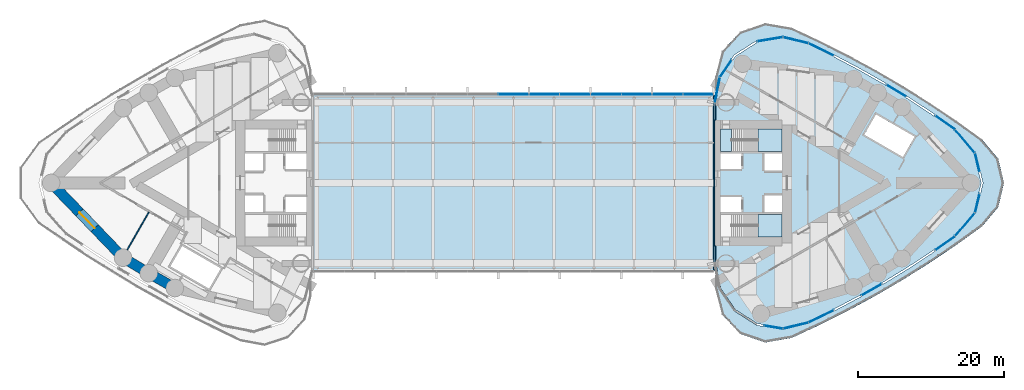
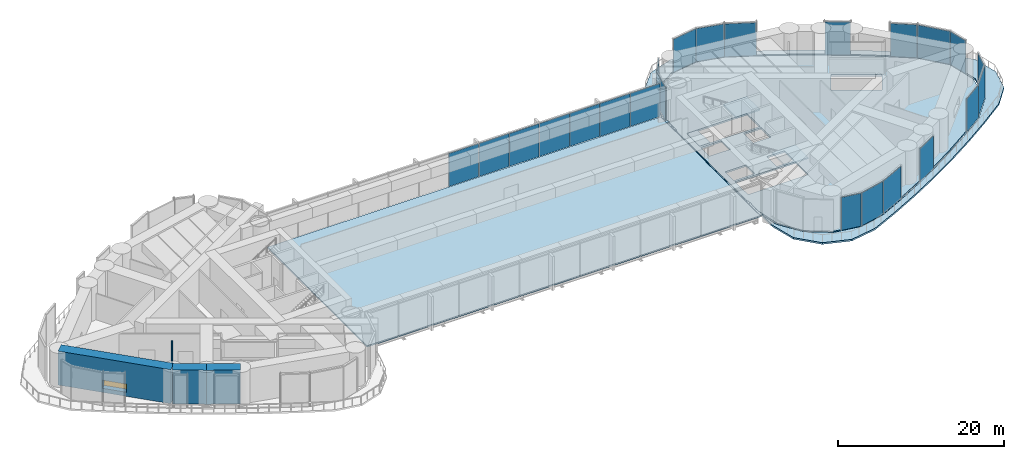
# One storey, part 14 of 22: 24 plates, 6 slabs, 4 walls, 1 window, 1 opening, 10 elements without a shape of their own.
"""IFC4 building model written with IfcOpenShell, lengths in metres."""

from ifc_helpers import new_model, si_unit, direction, frame, frame_2d, origin, origin_2d, place, context, subcontext, project, spatial, polyline, rectangle, outline, extrude, material, layer, layer_set, type_object, element, fill, aggregate, save


model = new_model("IFC4")

# Units and contexts
model_context = context("Model", 3, precision=1e-05, world=origin(), true_north=direction((0.0, 1.0)))
body_context = subcontext(model_context, "Body", "Model", "MODEL_VIEW")
ifc_project = project(units=[si_unit("LENGTHUNIT", "METRE"), si_unit("AREAUNIT", "SQUARE_METRE"), si_unit("VOLUMEUNIT", "CUBIC_METRE"), si_unit("PLANEANGLEUNIT", "RADIAN"), si_unit("MASSUNIT", "GRAM", prefix="KILO")], contexts=[model_context])

# Site, building, storey
site_placement = place(None, origin())
site = spatial("IfcSite", under=ifc_project, at=site_placement, CompositionType="ELEMENT")
building_placement = place(site_placement, origin())
building = spatial("IfcBuilding", under=site, at=building_placement, Name="Lancet Gate Hotel", CompositionType="ELEMENT")
storey_placement = place(building_placement, frame((0.0, 0.0, 210.300048828125)))
storey = spatial("IfcBuildingStorey", under=building, at=storey_placement, Name="L56", CompositionType="ELEMENT", Elevation=210.300048828125)

# Slabs
ifc_material_1 = material(Name="Concrete C40/50", Category="concrete")
ifc_layer_1 = layer(ifc_material_1, 0.199951171875)
ifc_layer_set_1 = layer_set([ifc_layer_1], Name="Composite floor slab 200")
slab_type_1 = type_object("IfcSlabType", Name="Composite floor slab 200", PredefinedType="FLOOR", material=ifc_layer_set_1)
slab_1_placement = place(storey_placement, frame((0.0, 0.0, -0.199951171875)))
element("IfcSlab", 1, at=slab_1_placement, inside=storey, type_object=slab_type_1, Name="Bridge block L56 floor slab", PredefinedType="FLOOR", context=body_context, shape_type="SweptSolid", body=[
    extrude(outline(polyline([(27.35009765625, -12.0), (27.35009765625, 12.0), (-27.35009765625, 12.0), (-27.35009765625, -12.0), (27.35009765625, -12.0)])), origin(), (0.0, 0.0, 1.0), 0.199951171875),
])
ifc_material_2 = material(Name="Concrete C50/60", Category="concrete")
ifc_layer_2 = layer(ifc_material_2, 0.25)
ifc_layer_set_2 = layer_set([ifc_layer_2], Name="Floor slab 250")
slab_type_2 = type_object("IfcSlabType", Name="Floor slab 250", PredefinedType="FLOOR", material=ifc_layer_set_2)
slab_2_placement = place(storey_placement, frame((0.0, 0.0, -0.25)))
element("IfcSlab", 2, at=slab_2_placement, inside=storey, type_object=slab_type_2, Name="T2 L56 floor slab", PredefinedType="FLOOR", context=body_context, shape_type="SweptSolid", body=[
    extrude(outline(polyline([(27.5, -8.60009765625), (27.6201171875, -8.60009765625), (27.6201171875, -10.93603515625), (28.329345703125, -14.419677734375), (30.33740234375, -17.338134765625), (33.326904296875, -19.2392578125), (36.82177734375, -19.81982421875), (40.2763671875, -18.98486328125), (43.753662109375, -17.2890625), (47.18603515625, -15.47998046875), (50.5595703125, -13.56396484375), (53.87158203125, -11.54296875), (57.118408203125, -9.4189453125), (60.2861328125, -7.20166015625), (62.99658203125, -4.03759765625), (63.968017578125, 0.0), (62.99658203125, 4.03759765625), (60.2861328125, 7.20166015625), (57.118408203125, 9.4189453125), (53.87158203125, 11.54296875), (50.5595703125, 13.56396484375), (47.18603515625, 15.47998046875), (43.753662109375, 17.2890625), (40.2763671875, 18.98486328125), (36.82177734375, 19.81982421875), (33.326904296875, 19.2392578125), (30.33740234375, 17.338134765625), (28.329345703125, 14.419677734375), (27.6201171875, 10.93603515625), (27.6201171875, 8.60009765625), (27.5, 8.60009765625), (27.5, 8.199951171875), (27.5, -8.199951171875), (27.5, -8.60009765625)]), holes=[polyline([(36.699951171875, -7.39990234375), (36.699951171875, -4.300048828125), (28.300048828125, -4.300048828125), (28.300048828125, -7.39990234375), (36.699951171875, -7.39990234375)]), polyline([(28.300048828125, -4.0), (31.199951171875, -4.0), (31.199951171875, -1.89990234375), (28.300048828125, -1.89990234375), (28.300048828125, -4.0)]), polyline([(34.25, -4.0), (36.699951171875, -4.0), (36.699951171875, -1.64990234375), (34.25, -1.64990234375), (34.25, -4.0)]), polyline([(36.699951171875, 1.64990234375), (36.699951171875, 4.0), (34.25, 4.0), (34.25, 1.64990234375), (36.699951171875, 1.64990234375)]), polyline([(28.300048828125, 1.89990234375), (31.199951171875, 1.89990234375), (31.199951171875, 4.0), (28.300048828125, 4.0), (28.300048828125, 1.89990234375)]), polyline([(28.300048828125, 4.300048828125), (36.699951171875, 4.300048828125), (36.699951171875, 7.39990234375), (28.300048828125, 7.39990234375), (28.300048828125, 4.300048828125)]), polyline([(53.242919921875, 3.555908203125), (54.843017578125, 6.326904296875), (49.56103515625, 9.376953125), (47.9609375, 6.60595703125), (53.242919921875, 3.555908203125)])]), origin(), (0.0, 0.0, 1.0), 0.25),
])

# Curtain wall, plates
ifc_material_3 = material(Name="Aluminium curtain wall", Category="aluminium")
curtain_wall_type = type_object("IfcCurtainWallType", Name="Refuge storey louvred curtain wall", PredefinedType="USERDEFINED", material=ifc_material_3)
curtain_wall_1_placement = place(storey_placement, origin())
curtain_wall_1 = element("IfcCurtainWall", 3, at=curtain_wall_1_placement, inside=storey, type_object=curtain_wall_type, Name="T2 L56 curtain wall 2", ObjectType="LANTERN GLAZING", PredefinedType="USERDEFINED")
ifc_material_4 = material(Name="Aluminium weather louvre 100 deep", Category="aluminium")
ifc_layer_3 = layer(ifc_material_4, 0.10009765625)
ifc_layer_set_3 = layer_set([ifc_layer_3], Name="Louvre panel")
plate_type_1 = type_object("IfcPlateType", Name="Louvre panel", PredefinedType="CURTAIN_PANEL", material=ifc_layer_set_3)
plate_1_placement = place(storey_placement, frame((35.5341796875, -19.7275390625, 0.0), z_axis=(0.0, 0.0, 1.0), x_axis=(0.986480101775, -0.163881081283, 0.0)))
plate_1 = element("IfcPlate", 4, at=plate_1_placement, type_object=plate_type_1, Name="T2 L56 curtain wall 2 panel 1", PredefinedType="CURTAIN_PANEL", context=body_context, shape_type="SweptSolid", body=[
    extrude(rectangle(XDim=2.5546875, YDim=0.10009765625, at=origin_2d()), origin(), (0.0, 0.0, 1.0), 4.85009765625),
])
plate_2_placement = place(storey_placement, frame((38.57177734375, -19.520263671875, 0.0), z_axis=(0.0, 0.0, 1.0), x_axis=(0.972013837597, 0.234923603582, 0.0)))
plate_2 = element("IfcPlate", 5, at=plate_2_placement, type_object=plate_type_1, Name="T2 L56 curtain wall 2 panel 2", PredefinedType="CURTAIN_PANEL", context=body_context, shape_type="SweptSolid", body=[
    extrude(rectangle(XDim=3.526611328125, YDim=0.10009765625, at=origin_2d()), origin(), (0.0, 0.0, 1.0), 4.85009765625),
])
plate_3_placement = place(storey_placement, frame((42.062744140625, -18.247314453125, 0.0), z_axis=(0.0, 0.0, 1.0), x_axis=(0.898823462202, 0.438310830114, 0.0)))
plate_3 = element("IfcPlate", 6, at=plate_3_placement, type_object=plate_type_1, Name="T2 L56 curtain wall 2 panel 3", PredefinedType="CURTAIN_PANEL", context=body_context, shape_type="SweptSolid", body=[
    extrude(rectangle(XDim=3.818603515625, YDim=0.10009765625, at=origin_2d()), origin(), (0.0, 0.0, 1.0), 4.85009765625),
])
aggregate(curtain_wall_1, [plate_1, plate_2, plate_3])

# Curtain wall, plate
curtain_wall_2_placement = place(storey_placement, origin())
curtain_wall_2 = element("IfcCurtainWall", 7, at=curtain_wall_2_placement, inside=storey, type_object=curtain_wall_type, Name="T2 L56 curtain wall 3", ObjectType="LANTERN GLAZING", PredefinedType="USERDEFINED")
plate_4_placement = place(storey_placement, frame((48.952392578125, -14.61474609375, 0.0), z_axis=(0.0, 0.0, 1.0), x_axis=(0.869550293306, 0.493844395951, 0.0)))
plate_4 = element("IfcPlate", 8, at=plate_4_placement, type_object=plate_type_1, Name="T2 L56 curtain wall 3 panel 1", PredefinedType="CURTAIN_PANEL", context=body_context, shape_type="SweptSolid", body=[
    extrude(rectangle(XDim=3.134765625, YDim=0.10009765625, at=origin_2d()), origin(), (0.0, 0.0, 1.0), 4.85009765625),
])
aggregate(curtain_wall_2, [plate_4])

# Curtain wall, plates
curtain_wall_3_placement = place(storey_placement, origin())
curtain_wall_3 = element("IfcCurtainWall", 9, at=curtain_wall_3_placement, inside=storey, type_object=curtain_wall_type, Name="T2 L56 curtain wall 4", ObjectType="LANTERN GLAZING", PredefinedType="USERDEFINED")
plate_5_placement = place(storey_placement, frame((59.00927734375, -8.241943359375, 0.0), z_axis=(0.0, 0.0, 1.0), x_axis=(0.819255034386, 0.573429323137, 0.0)))
plate_5 = element("IfcPlate", 10, at=plate_5_placement, type_object=plate_type_1, Name="T2 L56 curtain wall 4 panel 1", PredefinedType="CURTAIN_PANEL", context=body_context, shape_type="SweptSolid", body=[
    extrude(rectangle(XDim=3.25048828125, YDim=0.10009765625, at=origin_2d()), origin(), (0.0, 0.0, 1.0), 4.85009765625),
])
plate_6_placement = place(storey_placement, frame((61.737060546875, -5.692626953125, 0.0), z_axis=(0.0, 0.0, 1.0), x_axis=(0.650551562434, 0.759462088991, 0.0)))
plate_6 = element("IfcPlate", 11, at=plate_6_placement, type_object=plate_type_1, Name="T2 L56 curtain wall 4 panel 2", PredefinedType="CURTAIN_PANEL", context=body_context, shape_type="SweptSolid", body=[
    extrude(rectangle(XDim=4.1455078125, YDim=0.10009765625, at=origin_2d()), origin(), (0.0, 0.0, 1.0), 4.85009765625),
])
plate_7_placement = place(storey_placement, frame((63.4208984375, -2.787353515625, 0.0), z_axis=(0.0, 0.0, 1.0), x_axis=(0.233916001796, 0.972256809749, 0.0)))
plate_7 = element("IfcPlate", 12, at=plate_7_placement, type_object=plate_type_1, Name="T2 L56 curtain wall 4 panel 3", PredefinedType="CURTAIN_PANEL", context=body_context, shape_type="SweptSolid", body=[
    extrude(rectangle(XDim=2.622314453125, YDim=0.10009765625, at=origin_2d()), origin(), (0.0, 0.0, 1.0), 4.85009765625),
])
aggregate(curtain_wall_3, [plate_5, plate_6, plate_7])

curtain_wall_4_placement = place(storey_placement, origin())
curtain_wall_4 = element("IfcCurtainWall", 13, at=curtain_wall_4_placement, inside=storey, type_object=curtain_wall_type, Name="T2 L56 curtain wall 5", ObjectType="LANTERN GLAZING", PredefinedType="USERDEFINED")
plate_8_placement = place(storey_placement, frame((63.4208984375, 2.787353515625, 0.0), z_axis=(0.0, 0.0, 1.0), x_axis=(-0.233916001796, 0.972256809749, 0.0)))
plate_8 = element("IfcPlate", 14, at=plate_8_placement, type_object=plate_type_1, Name="T2 L56 curtain wall 5 panel 1", PredefinedType="CURTAIN_PANEL", context=body_context, shape_type="SweptSolid", body=[
    extrude(rectangle(XDim=2.622314453125, YDim=0.10009765625, at=origin_2d()), origin(), (0.0, 0.0, 1.0), 4.85009765625),
])
plate_9_placement = place(storey_placement, frame((61.737060546875, 5.692626953125, 0.0), z_axis=(0.0, 0.0, 1.0), x_axis=(-0.650551562434, 0.759462088991, 0.0)))
plate_9 = element("IfcPlate", 15, at=plate_9_placement, type_object=plate_type_1, Name="T2 L56 curtain wall 5 panel 2", PredefinedType="CURTAIN_PANEL", context=body_context, shape_type="SweptSolid", body=[
    extrude(rectangle(XDim=4.1455078125, YDim=0.10009765625, at=origin_2d()), origin(), (0.0, 0.0, 1.0), 4.85009765625),
])
plate_10_placement = place(storey_placement, frame((59.00927734375, 8.241943359375, 0.0), z_axis=(0.0, 0.0, 1.0), x_axis=(-0.819255034386, 0.573429323137, 0.0)))
plate_10 = element("IfcPlate", 16, at=plate_10_placement, type_object=plate_type_1, Name="T2 L56 curtain wall 5 panel 3", PredefinedType="CURTAIN_PANEL", context=body_context, shape_type="SweptSolid", body=[
    extrude(rectangle(XDim=3.25048828125, YDim=0.10009765625, at=origin_2d()), origin(), (0.0, 0.0, 1.0), 4.85009765625),
])
aggregate(curtain_wall_4, [plate_8, plate_9, plate_10])

# Curtain wall, plate
curtain_wall_5_placement = place(storey_placement, origin())
curtain_wall_5 = element("IfcCurtainWall", 17, at=curtain_wall_5_placement, inside=storey, type_object=curtain_wall_type, Name="T2 L56 curtain wall 6", ObjectType="LANTERN GLAZING", PredefinedType="USERDEFINED")
plate_11_placement = place(storey_placement, frame((52.344970703125, 12.614990234375, 0.0), z_axis=(0.0, 0.0, 1.0), x_axis=(-0.853620912967, 0.520894746513, 0.0)))
plate_11 = element("IfcPlate", 18, at=plate_11_placement, type_object=plate_type_1, Name="T2 L56 curtain wall 6 panel 1", PredefinedType="CURTAIN_PANEL", context=body_context, shape_type="SweptSolid", body=[
    extrude(rectangle(XDim=3.090576171875, YDim=0.10009765625, at=origin_2d()), origin(), (0.0, 0.0, 1.0), 4.85009765625),
])
aggregate(curtain_wall_5, [plate_11])

# Curtain wall, plates
curtain_wall_6_placement = place(storey_placement, origin())
curtain_wall_6 = element("IfcCurtainWall", 19, at=curtain_wall_6_placement, inside=storey, type_object=curtain_wall_type, Name="T2 L56 curtain wall 7", ObjectType="LANTERN GLAZING", PredefinedType="USERDEFINED")
plate_12_placement = place(storey_placement, frame((42.062744140625, 18.247314453125, 0.0), z_axis=(0.0, 0.0, 1.0), x_axis=(-0.898823462202, 0.438310830114, 0.0)))
plate_12 = element("IfcPlate", 20, at=plate_12_placement, type_object=plate_type_1, Name="T2 L56 curtain wall 7 panel 1", PredefinedType="CURTAIN_PANEL", context=body_context, shape_type="SweptSolid", body=[
    extrude(rectangle(XDim=3.818603515625, YDim=0.10009765625, at=origin_2d()), origin(), (0.0, 0.0, 1.0), 4.85009765625),
])
plate_13_placement = place(storey_placement, frame((38.57177734375, 19.520263671875, 0.0), z_axis=(0.0, 0.0, 1.0), x_axis=(-0.972013837597, 0.234923603582, 0.0)))
plate_13 = element("IfcPlate", 21, at=plate_13_placement, type_object=plate_type_1, Name="T2 L56 curtain wall 7 panel 2", PredefinedType="CURTAIN_PANEL", context=body_context, shape_type="SweptSolid", body=[
    extrude(rectangle(XDim=3.526611328125, YDim=0.10009765625, at=origin_2d()), origin(), (0.0, 0.0, 1.0), 4.85009765625),
])
plate_14_placement = place(storey_placement, frame((35.0546875, 19.64794921875, 0.0), z_axis=(0.0, 0.0, 1.0), x_axis=(-0.986480101775, -0.163881081283, 0.0)))
plate_14 = element("IfcPlate", 22, at=plate_14_placement, type_object=plate_type_1, Name="T2 L56 curtain wall 7 panel 3", PredefinedType="CURTAIN_PANEL", context=body_context, shape_type="SweptSolid", body=[
    extrude(rectangle(XDim=3.526611328125, YDim=0.10009765625, at=origin_2d()), origin(), (0.0, 0.0, 1.0), 4.85009765625),
])
aggregate(curtain_wall_6, [plate_12, plate_13, plate_14])

curtain_wall_7_placement = place(storey_placement, origin())
curtain_wall_7 = element("IfcCurtainWall", 23, at=curtain_wall_7_placement, inside=storey, type_object=curtain_wall_type, Name="T2 L56 curtain wall 8", ObjectType="LANTERN GLAZING", PredefinedType="USERDEFINED")
plate_15_placement = place(storey_placement, frame((29.02734375, 15.645751953125, 0.0), z_axis=(0.0, 0.0, 1.0), x_axis=(-0.566823864908, -0.823839005007, 0.0)))
plate_15 = element("IfcPlate", 24, at=plate_15_placement, type_object=plate_type_1, Name="T2 L56 curtain wall 8 panel 1", PredefinedType="CURTAIN_PANEL", context=body_context, shape_type="SweptSolid", body=[
    extrude(rectangle(XDim=2.795654296875, YDim=0.10009765625, at=origin_2d()), origin(), (0.0, 0.0, 1.0), 4.85009765625),
])
plate_16_placement = place(storey_placement, frame((27.8583984375, 12.707763671875, 0.0), z_axis=(0.0, 0.0, 1.0), x_axis=(-0.199533486841, -0.979891008036, 0.0)))
plate_16 = element("IfcPlate", 25, at=plate_16_placement, type_object=plate_type_1, Name="T2 L56 curtain wall 8 panel 2", PredefinedType="CURTAIN_PANEL", context=body_context, shape_type="SweptSolid", body=[
    extrude(rectangle(XDim=3.526611328125, YDim=0.10009765625, at=origin_2d()), origin(), (0.0, 0.0, 1.0), 4.85009765625),
])
aggregate(curtain_wall_7, [plate_15, plate_16])

curtain_wall_8_placement = place(storey_placement, origin())
curtain_wall_8 = element("IfcCurtainWall", 26, at=curtain_wall_8_placement, inside=storey, type_object=curtain_wall_type, Name="Bridge block L56 curtain wall N", ObjectType="LANTERN GLAZING", PredefinedType="USERDEFINED")
plate_17_placement = place(storey_placement, frame((25.24609375, 12.1201171875, 0.0), z_axis=(0.0, 0.0, 1.0), x_axis=(-1.0, 0.0, 0.0)))
plate_17 = element("IfcPlate", 27, at=plate_17_placement, type_object=plate_type_1, Name="Bridge block L56 curtain wall N panel 1", PredefinedType="CURTAIN_PANEL", context=body_context, shape_type="SweptSolid", body=[
    extrude(rectangle(XDim=4.142578125, YDim=0.10009765625, at=origin_2d()), origin(), (0.0, 0.0, 1.0), 4.85009765625),
])
plate_18_placement = place(storey_placement, frame((21.03857421875, 12.1201171875, 0.0), z_axis=(0.0, 0.0, 1.0), x_axis=(-1.0, 0.0, 0.0)))
plate_18 = element("IfcPlate", 28, at=plate_18_placement, type_object=plate_type_1, Name="Bridge block L56 curtain wall N panel 2", PredefinedType="CURTAIN_PANEL", context=body_context, shape_type="SweptSolid", body=[
    extrude(rectangle(XDim=4.142578125, YDim=0.10009765625, at=origin_2d()), origin(), (0.0, 0.0, 1.0), 4.85009765625),
])
plate_19_placement = place(storey_placement, frame((16.830810546875, 12.1201171875, 0.0), z_axis=(0.0, 0.0, 1.0), x_axis=(-1.0, 0.0, 0.0)))
plate_19 = element("IfcPlate", 29, at=plate_19_placement, type_object=plate_type_1, Name="Bridge block L56 curtain wall N panel 3", PredefinedType="CURTAIN_PANEL", context=body_context, shape_type="SweptSolid", body=[
    extrude(rectangle(XDim=4.142578125, YDim=0.10009765625, at=origin_2d()), origin(), (0.0, 0.0, 1.0), 4.85009765625),
])
plate_20_placement = place(storey_placement, frame((12.623046875, 12.1201171875, 0.0), z_axis=(0.0, 0.0, 1.0), x_axis=(-1.0, 0.0, 0.0)))
plate_20 = element("IfcPlate", 30, at=plate_20_placement, type_object=plate_type_1, Name="Bridge block L56 curtain wall N panel 4", PredefinedType="CURTAIN_PANEL", context=body_context, shape_type="SweptSolid", body=[
    extrude(rectangle(XDim=4.142578125, YDim=0.10009765625, at=origin_2d()), origin(), (0.0, 0.0, 1.0), 4.85009765625),
])
plate_21_placement = place(storey_placement, frame((8.415283203125, 12.1201171875, 0.0), z_axis=(0.0, 0.0, 1.0), x_axis=(-1.0, 0.0, 0.0)))
plate_21 = element("IfcPlate", 31, at=plate_21_placement, type_object=plate_type_1, Name="Bridge block L56 curtain wall N panel 5", PredefinedType="CURTAIN_PANEL", context=body_context, shape_type="SweptSolid", body=[
    extrude(rectangle(XDim=4.142578125, YDim=0.10009765625, at=origin_2d()), origin(), (0.0, 0.0, 1.0), 4.85009765625),
])
plate_22_placement = place(storey_placement, frame((4.207763671875, 12.1201171875, 0.0), z_axis=(0.0, 0.0, 1.0), x_axis=(-1.0, 0.0, 0.0)))
plate_22 = element("IfcPlate", 32, at=plate_22_placement, type_object=plate_type_1, Name="Bridge block L56 curtain wall N panel 6", PredefinedType="CURTAIN_PANEL", context=body_context, shape_type="SweptSolid", body=[
    extrude(rectangle(XDim=4.142578125, YDim=0.10009765625, at=origin_2d()), origin(), (0.0, 0.0, 1.0), 4.85009765625),
])
plate_23_placement = place(storey_placement, frame((0.0, 12.1201171875, 0.0), z_axis=(0.0, 0.0, 1.0), x_axis=(-1.0, 0.0, 0.0)))
plate_23 = element("IfcPlate", 33, at=plate_23_placement, type_object=plate_type_1, Name="Bridge block L56 curtain wall N panel 7", PredefinedType="CURTAIN_PANEL", context=body_context, shape_type="SweptSolid", body=[
    extrude(rectangle(XDim=4.142578125, YDim=0.10009765625, at=origin_2d()), origin(), (0.0, 0.0, 1.0), 4.85009765625),
])
aggregate(curtain_wall_8, [plate_17, plate_18, plate_19, plate_20, plate_21, plate_22, plate_23])

# Plate
ifc_material_5 = material(Name="Aluminium chequer plate", Category="aluminium")
ifc_layer_4 = layer(ifc_material_5, 0.014892578125)
ifc_layer_set_4 = layer_set([ifc_layer_4], Name="Movement joint cover plate 15")
plate_type_2 = type_object("IfcPlateType", Name="Movement joint cover plate 15", PredefinedType="SHEET", material=ifc_layer_set_4)
plate_24_placement = place(storey_placement, frame((0.0, 0.0, -0.01513671875)))
element("IfcPlate", 34, at=plate_24_placement, inside=storey, type_object=plate_type_2, Name="Movement joint cover plate T2 L56", PredefinedType="SHEET", context=body_context, shape_type="SweptSolid", body=[
    extrude(outline(polyline([(27.35009765625, -12.0), (27.836669921875, -12.0), (27.6201171875, -10.93603515625), (27.6201171875, -8.60009765625), (27.5, -8.60009765625), (27.5, -8.199951171875), (27.5, 8.199951171875), (27.5, 8.60009765625), (27.6201171875, 8.60009765625), (27.6201171875, 10.93603515625), (27.836669921875, 12.0), (27.35009765625, 12.0), (27.35009765625, -12.0)])), origin(), (0.0, 0.0, 1.0), 0.01513671875),
])

# Slab
ifc_material_6 = material(Name="Concrete C50/60", Category="concrete")
ifc_layer_5 = layer(ifc_material_6, 0.25)
ifc_layer_set_5 = layer_set([ifc_layer_5], Name="Roof slab 250")
slab_type_3 = type_object("IfcSlabType", Name="Roof slab 250", PredefinedType="ROOF", material=ifc_layer_set_5)
slab_3_placement = place(storey_placement, frame((0.0, 0.0, -0.25)))
element("IfcSlab", 35, at=slab_3_placement, inside=storey, type_object=slab_type_3, Name="Maintenance roof", PredefinedType="ROOF", context=body_context, shape_type="SweptSolid", body=[
    extrude(outline(polyline([(27.6201171875, -14.450439453125), (28.517822265625, -17.9853515625), (30.98291015625, -20.65185546875), (34.421875, -21.819091796875), (38.01513671875, -21.201171875), (41.9296875, -19.383056640625), (45.796875, -17.435302734375), (49.6005859375, -15.36572265625), (53.336669921875, -13.1767578125), (57.00146484375, -10.87060546875), (60.591552734375, -8.44921875), (64.092041015625, -5.9228515625), (66.283447265625, -3.307373046875), (67.06640625, 0.0), (66.283447265625, 3.307373046875), (64.092041015625, 5.9228515625), (60.591552734375, 8.44921875), (57.00146484375, 10.87060546875), (53.336669921875, 13.1767578125), (49.6005859375, 15.36572265625), (45.796875, 17.435302734375), (41.9296875, 19.383056640625), (38.01513671875, 21.201171875), (34.421875, 21.819091796875), (30.98291015625, 20.65185546875), (28.517822265625, 17.9853515625), (27.6201171875, 14.450439453125), (27.6201171875, 12.03857421875), (28.122802734375, 14.50732421875), (30.181640625, 17.499755859375), (33.246826171875, 19.448974609375), (36.829833984375, 20.044189453125), (40.351318359375, 19.193115234375), (43.853271484375, 17.4853515625), (47.29150390625, 15.6728515625), (50.67138671875, 13.75341796875), (53.989013671875, 11.72900390625), (57.24169921875, 9.60107421875), (60.43505859375, 7.365966796875), (63.197998046875, 4.140380859375), (64.1943359375, 0.0), (63.197998046875, -4.140380859375), (60.43505859375, -7.365966796875), (57.24169921875, -9.60107421875), (53.989013671875, -11.72900390625), (50.67138671875, -13.75341796875), (47.29150390625, -15.6728515625), (43.853271484375, -17.4853515625), (40.351318359375, -19.193115234375), (36.829833984375, -20.044189453125), (33.246826171875, -19.448974609375), (30.181640625, -17.499755859375), (28.122802734375, -14.50732421875), (27.6201171875, -12.03857421875), (27.6201171875, -14.450439453125)])), origin(), (0.0, 0.0, 1.0), 0.25),
])

# Stair, slab
ifc_material_7 = material(Name="Exit stair 28 risers 1500")
stair_type = type_object("IfcStairType", Name="Exit stair 28 risers 1500", PredefinedType="HALF_TURN_STAIR", material=ifc_material_7)
stair_1_placement = place(storey_placement, origin())
stair_1 = element("IfcStair", 36, at=stair_1_placement, inside=storey, type_object=stair_type, Name="T2 stair 1 L56", PredefinedType="HALF_TURN_STAIR")
ifc_material_8 = material(Name="Concrete C40/50", Category="concrete")
ifc_layer_6 = layer(ifc_material_8, 0.199951171875)
ifc_layer_set_6 = layer_set([ifc_layer_6], Name="Stair landing 200")
slab_type_4 = type_object("IfcSlabType", Name="Stair landing 200", PredefinedType="LANDING", material=ifc_layer_set_6)
slab_4_placement = place(storey_placement, frame((0.0, 0.0, 2.300048828125)))
slab_4 = element("IfcSlab", 37, at=slab_4_placement, type_object=slab_type_4, Name="ST3 landing 2", PredefinedType="LANDING", context=body_context, shape_type="SweptSolid", body=[
    extrude(outline(polyline([(33.43994140625, -7.39990234375), (36.699951171875, -7.39990234375), (36.699951171875, -4.300048828125), (33.43994140625, -4.300048828125), (33.43994140625, -7.39990234375)])), origin(), (0.0, 0.0, 1.0), 0.199951171875),
])
aggregate(stair_1, [slab_4])

# Stair, slabs
stair_2_placement = place(storey_placement, origin())
stair_2 = element("IfcStair", 38, at=stair_2_placement, inside=storey, type_object=stair_type, Name="T2 stair 2 L56", PredefinedType="HALF_TURN_STAIR")
slab_5_placement = place(storey_placement, frame((0.0, 0.0, -0.199951171875)))
slab_5 = element("IfcSlab", 39, at=slab_5_placement, type_object=slab_type_4, Name="ST4 landing 1", PredefinedType="LANDING", context=body_context, shape_type="SweptSolid", body=[
    extrude(outline(polyline([(28.300048828125, 4.300048828125), (29.800048828125, 4.300048828125), (29.800048828125, 7.39990234375), (28.300048828125, 7.39990234375), (28.300048828125, 4.300048828125)])), origin(), (0.0, 0.0, 1.0), 0.199951171875),
])
slab_6_placement = place(storey_placement, frame((0.0, 0.0, 2.300048828125)))
slab_6 = element("IfcSlab", 40, at=slab_6_placement, type_object=slab_type_4, Name="ST4 landing 2", PredefinedType="LANDING", context=body_context, shape_type="SweptSolid", body=[
    extrude(outline(polyline([(33.43994140625, 4.300048828125), (36.699951171875, 4.300048828125), (36.699951171875, 7.39990234375), (33.43994140625, 7.39990234375), (33.43994140625, 4.300048828125)])), origin(), (0.0, 0.0, 1.0), 0.199951171875),
])
aggregate(stair_2, [slab_5, slab_6])

# Wall, opening, window
ifc_material_9 = material(Name="Concrete C80/95", Category="concrete")
ifc_layer_7 = layer(ifc_material_9, 1.39990234375)
ifc_layer_set_7 = layer_set([ifc_layer_7], Name="Belt wall 1400")
wall_type_1 = type_object("IfcWallType", Name="Belt wall 1400", PredefinedType="SHEAR", material=ifc_layer_set_7)
wall_1_placement = place(storey_placement, frame((-63.234375, 0.0, 0.0), z_axis=(0.0, 0.0, 1.0), x_axis=(0.693134527053, -0.720808245934, 0.0)))
wall_1 = element("IfcWall", 41, at=wall_1_placement, inside=storey, type_object=wall_type_1, Name="T1 belt wall CA-ON1 L56", PredefinedType="SHEAR", context=body_context, shape_type="SweptSolid", body=[
    extrude(rectangle(XDim=14.17724609375, YDim=1.39990234375, at=frame_2d((7.088623046875, 0.0))), origin(), (0.0, 0.0, 1.0), 5.0),
])
opening_placement = place(wall_1_placement, frame((5.588623046875, 0.0, 0.60009765625)))
opening = element("IfcOpeningElement", 42, at=opening_placement, cuts=wall_1, Name="Opening LV1", PredefinedType="OPENING", context=body_context, shape_type="SweptSolid", body=[
    extrude(rectangle(XDim=3.0, YDim=1.199951171875, at=frame_2d((1.5, 0.60009765625))), frame((0.0, 0.7099609375, 0.0), z_axis=(0.0, -1.0, 0.0), x_axis=(1.0, 0.0, 0.0)), (0.0, 0.0, 1.0), 1.419921875),
])
ifc_material_10 = material(Name="Aluminium weather louvre", Category="aluminium")
window_type = type_object("IfcWindowType", Name="Refuge louvre 3000x1200", PartitioningType="SINGLE_PANEL", PredefinedType="WINDOW", material=ifc_material_10)
window_placement = place(opening_placement, origin())
window = element("IfcWindow", 43, at=window_placement, inside=storey, type_object=window_type, Name="T1 belt louvre CA-ON1 L56", OverallHeight=1.199951171875, OverallWidth=3.0, PartitioningType="SINGLE_PANEL", PredefinedType="WINDOW", context=body_context, shape_type="SweptSolid", body=[
    extrude(rectangle(XDim=3.0, YDim=1.199951171875, at=frame_2d((1.5, 0.60009765625))), frame((0.0, 0.030029296875, 0.0), z_axis=(0.0, -1.0, 0.0), x_axis=(1.0, 0.0, 0.0)), (0.0, 0.0, 1.0), 0.06005859375),
])
fill(opening, window)

# Walls
for number, where, z_axis, x_axis, name in (
    (44, (-53.40771484375, -10.218994140625, 0.0), (0.0, 0.0, 1.0), (0.856358061538, -0.516382484636, 0.0), "T1 belt wall ON1-ON2 L56"),
    (45, (-49.89013671875, -12.340087890625, 0.0), (0.0, 0.0, 1.0), (0.869978841992, -0.493089053301, 0.0), "T1 belt wall ON2-ON3 L56"),
):
    element("IfcWall", number, at=place(storey_placement, frame(where, z_axis=z_axis, x_axis=x_axis)), inside=storey, type_object=wall_type_1, Name=name, PredefinedType="SHEAR", context=body_context, shape_type="SweptSolid", body=[
        extrude(rectangle(XDim=4.107666015625, YDim=1.39990234375, at=frame_2d((2.0537109375, 0.0))), origin(), (0.0, 0.0, 1.0), 5.0),
    ])
ifc_material_11 = material(Name="Gypsum board partition")
ifc_layer_8 = layer(ifc_material_11, 0.14990234375)
ifc_layer_set_8 = layer_set([ifc_layer_8], Name="Party wall 150")
wall_type_2 = type_object("IfcWallType", Name="Party wall 150", PredefinedType="PARTITIONING", material=ifc_layer_set_8)
wall_2_placement = place(storey_placement, frame((-49.866455078125, -3.98486328125, 0.0), z_axis=(0.0, 0.0, 1.0), x_axis=(-0.500000694566, -0.866025002776, 0.0)))
element("IfcWall", 46, at=wall_2_placement, inside=storey, type_object=wall_type_2, Name="T1 party wall 150 L56", PredefinedType="PARTITIONING", context=body_context, shape_type="SweptSolid", body=[
    extrude(rectangle(XDim=5.94970703125, YDim=0.14990234375, at=frame_2d((2.974853515625, 0.0))), origin(), (0.0, 0.0, 1.0), 3.849853515625),
])

save(model, "model.ifc")
